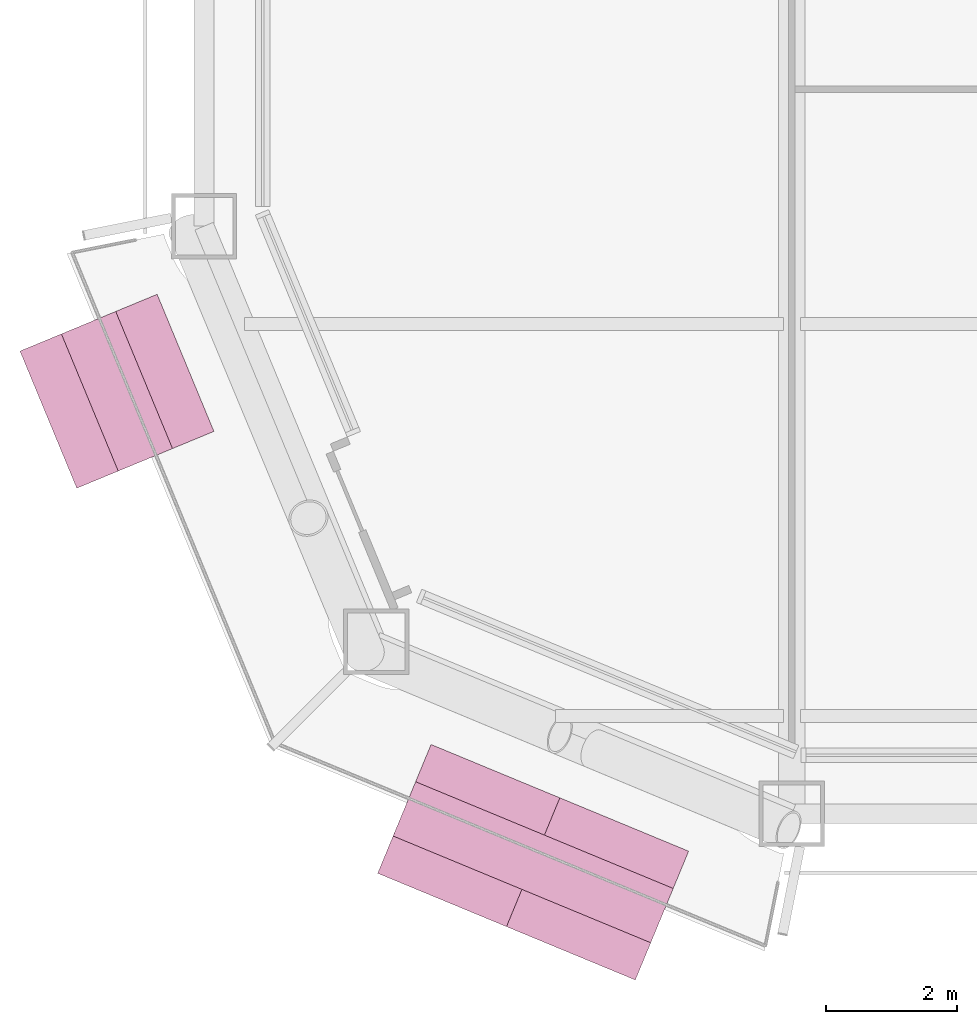
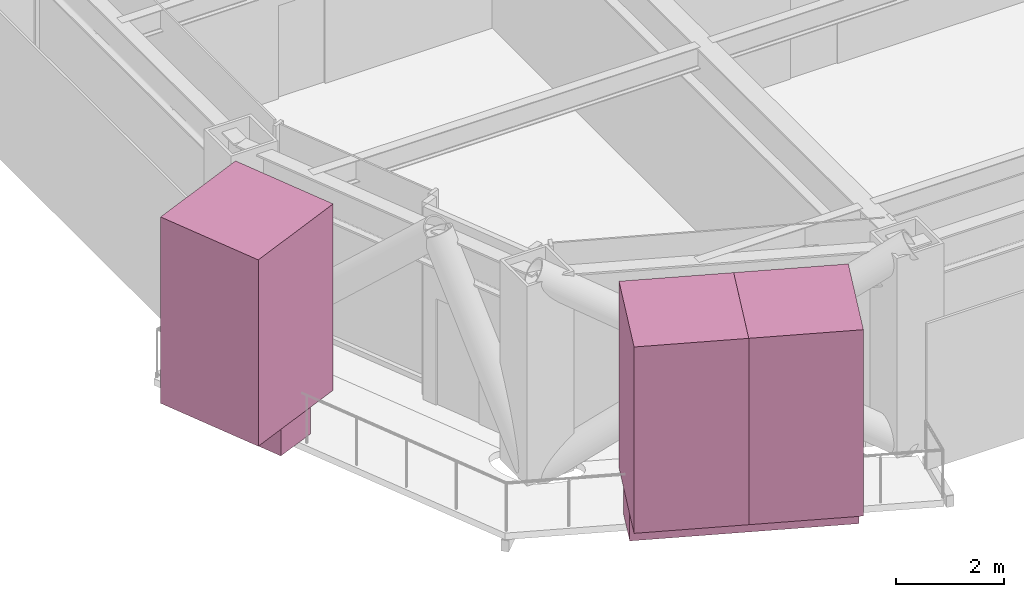
# One storey, part 27 of 27: 5 furnishings.
"""IFC4 building model written with IfcOpenShell, lengths in metres."""

from ifc_helpers import new_model, si_unit, direction, frame, origin, origin_2d, place, context, subcontext, project, spatial, rectangle, extrude, material, type_object, element, save


model = new_model("IFC4")

# Units and contexts
model_context = context("Model", 3, precision=1e-05, world=origin(), true_north=direction((0.0, 1.0)))
body_context = subcontext(model_context, "Body", "Model", "MODEL_VIEW")
ifc_project = project(units=[si_unit("LENGTHUNIT", "METRE"), si_unit("AREAUNIT", "SQUARE_METRE"), si_unit("VOLUMEUNIT", "CUBIC_METRE"), si_unit("PLANEANGLEUNIT", "RADIAN"), si_unit("MASSUNIT", "GRAM", prefix="KILO")], contexts=[model_context])

# Site, building, storey
site_placement = place(None, origin())
site = spatial("IfcSite", under=ifc_project, at=site_placement, CompositionType="ELEMENT")
building_placement = place(site_placement, origin())
building = spatial("IfcBuilding", under=site, at=building_placement, Name="Siwar Civic Tower", CompositionType="ELEMENT")
storey_placement = place(building_placement, frame((0.0, 0.0, 71.699951171875)))
storey = spatial("IfcBuildingStorey", under=building, at=storey_placement, Name="L15", CompositionType="ELEMENT", Elevation=71.699951171875)

# Furnishings
ifc_material_1 = material(Name="Planting soil and foliage")
furnishing_element_type_1 = type_object("IfcFurnishingElementType", Name="ENV-PLANTER", material=ifc_material_1)
furnishing_1_placement = place(storey_placement, frame((-32.833984375, -25.0283203125, 0.0), z_axis=(0.0, 0.0, 1.0), x_axis=(0.382683432365, -0.923879532511, 0.0)))
element("IfcFurnishingElement", 1, at=furnishing_1_placement, inside=storey, type_object=furnishing_element_type_1, Name="PLANTER SW 1", context=body_context, shape_type="SweptSolid", body=[
    extrude(rectangle(XDim=2.273193359375, YDim=0.89990234375, at=origin_2d()), origin(), (0.0, 0.0, 1.0), 0.60009765625),
])
furnishing_2_placement = place(storey_placement, frame((-26.460205078125, -32.240966796875, 0.0), z_axis=(0.0, 0.0, 1.0), x_axis=(0.923879532511, -0.382683432365, 0.0)))
element("IfcFurnishingElement", 2, at=furnishing_2_placement, inside=storey, type_object=furnishing_element_type_1, Name="PLANTER SW 2", context=body_context, shape_type="SweptSolid", body=[
    extrude(rectangle(XDim=4.270751953125, YDim=0.89990234375, at=origin_2d()), origin(), (0.0, 0.0, 1.0), 0.60009765625),
])
ifc_material_2 = material(Name="Planting soil and foliage")
furnishing_element_type_2 = type_object("IfcFurnishingElementType", Name="ENV-TREE", material=ifc_material_2)
furnishing_3_placement = place(storey_placement, frame((-32.833984375, -25.0283203125, 0.60009765625), z_axis=(0.0, 0.0, 1.0), x_axis=(0.382683432365, -0.923879532511, 0.0)))
element("IfcFurnishingElement", 3, at=furnishing_3_placement, inside=storey, type_object=furnishing_element_type_2, Name="PLANTER (TREE) SW 1.1", context=body_context, shape_type="SweptSolid", body=[
    extrude(rectangle(XDim=2.273193359375, YDim=2.273193359375, at=origin_2d()), origin(), (0.0, 0.0, 1.0), 4.199951171875),
])
for number, where, z_axis, x_axis, name in (
    (4, (-27.44677734375, -31.832275390625, 0.60009765625), (0.0, 0.0, 1.0), (0.923879532511, -0.382683432365, 0.0), "PLANTER (TREE) SW 2.1"),
    (5, (-25.473876953125, -32.6494140625, 0.60009765625), (0.0, 0.0, 1.0), (0.923879532511, -0.382683432365, 0.0), "PLANTER (TREE) SW 2.2"),
):
    element("IfcFurnishingElement", number, at=place(storey_placement, frame(where, z_axis=z_axis, x_axis=x_axis)), inside=storey, type_object=furnishing_element_type_2, Name=name, context=body_context, shape_type="SweptSolid", body=[
        extrude(rectangle(XDim=2.13525390625, YDim=2.13525390625, at=origin_2d()), origin(), (0.0, 0.0, 1.0), 4.199951171875),
    ])

save(model, "model.ifc")
